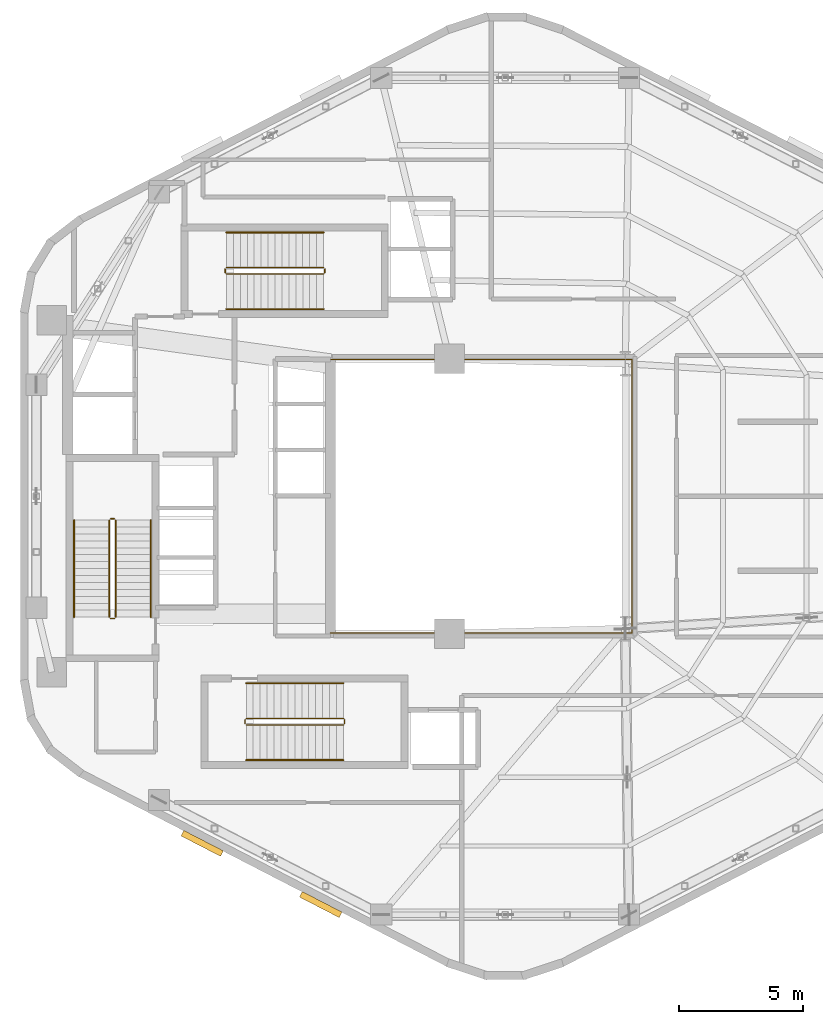
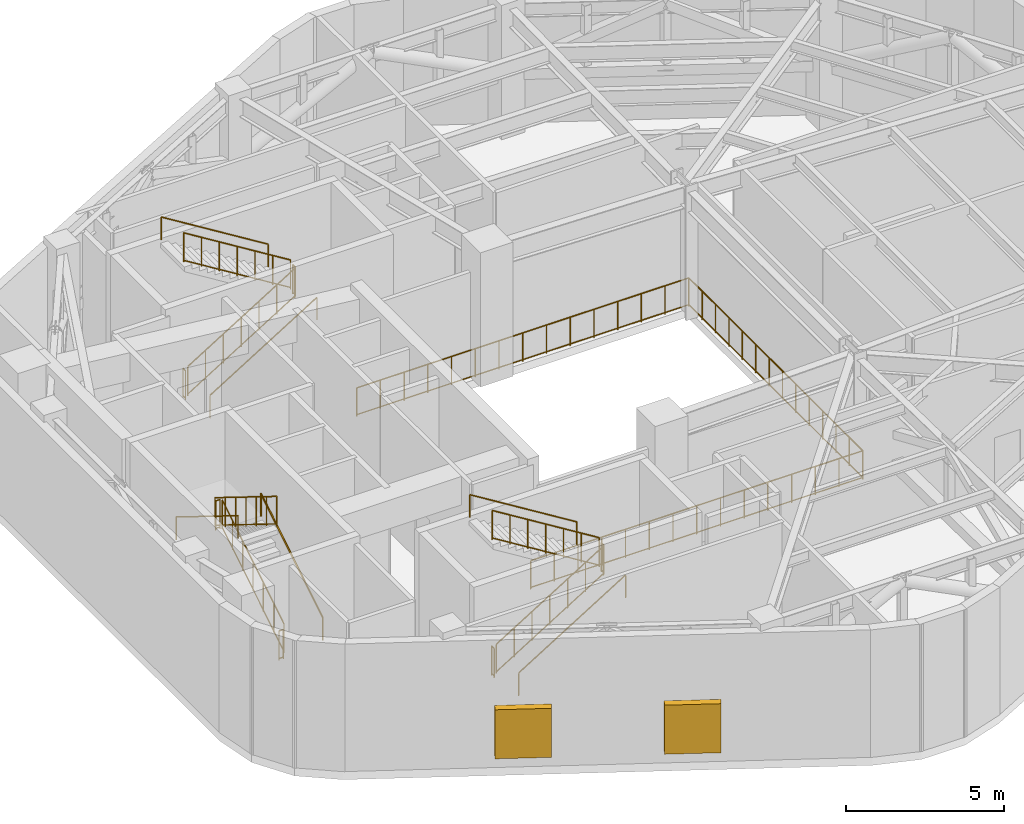
# One storey, part 9 of 10: 19 railings, 2 shading devices.
"""IFC4 building model written with IfcOpenShell, lengths in metres."""

from ifc_helpers import new_model, si_unit, direction, frame, origin, origin_2d, place, context, subcontext, project, spatial, rectangle, circle, extrude, material, type_object, element, save


model = new_model("IFC4")

# Units and contexts
model_context = context("Model", 3, precision=1e-05, world=origin(), true_north=direction((0.0, 1.0)))
body_context = subcontext(model_context, "Body", "Model", "MODEL_VIEW")
ifc_project = project(units=[si_unit("LENGTHUNIT", "METRE"), si_unit("AREAUNIT", "SQUARE_METRE"), si_unit("VOLUMEUNIT", "CUBIC_METRE"), si_unit("PLANEANGLEUNIT", "RADIAN"), si_unit("MASSUNIT", "GRAM", prefix="KILO"), si_unit("THERMODYNAMICTEMPERATUREUNIT", "KELVIN"), si_unit("POWERUNIT", "WATT")], contexts=[model_context])

# Site, building, storey
site_placement = place(None, origin())
site = spatial("IfcSite", under=ifc_project, at=site_placement, CompositionType="ELEMENT")
building_placement = place(site_placement, origin())
building = spatial("IfcBuilding", under=site, at=building_placement, Name="Skarre Station Tower", CompositionType="ELEMENT")
storey_placement = place(building_placement, frame((0.0, 0.0, 191.25)))
storey = spatial("IfcBuildingStorey", under=building, at=storey_placement, Name="L52", CompositionType="ELEMENT", Elevation=191.25)

# Railings
ifc_material_1 = material(Name="Bronze Anodized Steel & Laminated Glass Balustrade", Category="steel")
railing_type_1 = type_object("IfcRailingType", Name="Atrium Void & Mezzanine Guard Balustrade 1120", PredefinedType="GUARDRAIL", material=ifc_material_1)
railing_1_placement = place(storey_placement, frame((27.550048828125, 18.47998046875, 0.0)))
element("IfcRailing", 1, at=railing_1_placement, inside=storey, type_object=railing_type_1, Name="L52 Atrium Void Guard Balustrade", PredefinedType="GUARDRAIL", context=body_context, shape_type="SweptSolid", body=[
    extrude(circle(Radius=0.02392578125, at=origin_2d()), frame((0.0, 0.0, 1.09619140625), z_axis=(1.0, 0.0, 0.0), x_axis=(0.0, 1.0, 0.0)), (0.0, 0.0, 1.0), 12.169921875),
    extrude(circle(Radius=0.02099609375, at=origin_2d()), frame((0.0, 0.0, 0.06005859375), z_axis=(1.0, 0.0, 0.0), x_axis=(0.0, 1.0, 0.0)), (0.0, 0.0, 1.0), 12.169921875),
    extrude(circle(Radius=0.02392578125, at=origin_2d()), frame((12.169921875, 0.0, 1.09619140625), z_axis=(0.0, 1.0, 0.0), x_axis=(-1.0, 0.0, 0.0)), (0.0, 0.0, 1.0), 11.0400390625),
    extrude(circle(Radius=0.02099609375, at=origin_2d()), frame((12.169921875, 0.0, 0.06005859375), z_axis=(0.0, 1.0, 0.0), x_axis=(-1.0, 0.0, 0.0)), (0.0, 0.0, 1.0), 11.0400390625),
    extrude(circle(Radius=0.02392578125, at=origin_2d()), frame((12.169921875, 11.0400390625, 1.09619140625), z_axis=(-1.0, 0.0, 0.0), x_axis=(0.0, -1.0, 0.0)), (0.0, 0.0, 1.0), 12.169921875),
    extrude(circle(Radius=0.02099609375, at=origin_2d()), frame((12.169921875, 11.0400390625, 0.06005859375), z_axis=(-1.0, 0.0, 0.0), x_axis=(0.0, -1.0, 0.0)), (0.0, 0.0, 1.0), 12.169921875),
    extrude(circle(Radius=0.02099609375, at=origin_2d()), origin(), (0.0, 0.0, 1.0), 1.072021484375),
    extrude(circle(Radius=0.02099609375, at=origin_2d()), frame((0.869384765625, 0.0, 0.0)), (0.0, 0.0, 1.0), 1.072021484375),
    extrude(circle(Radius=0.02099609375, at=origin_2d()), frame((1.738525390625, 0.0, 0.0)), (0.0, 0.0, 1.0), 1.072021484375),
    extrude(circle(Radius=0.02099609375, at=origin_2d()), frame((2.60791015625, 0.0, 0.0)), (0.0, 0.0, 1.0), 1.072021484375),
    extrude(circle(Radius=0.02099609375, at=origin_2d()), frame((3.47705078125, 0.0, 0.0)), (0.0, 0.0, 1.0), 1.072021484375),
    extrude(circle(Radius=0.02099609375, at=origin_2d()), frame((4.346435546875, 0.0, 0.0)), (0.0, 0.0, 1.0), 1.072021484375),
    extrude(circle(Radius=0.02099609375, at=origin_2d()), frame((5.215576171875, 0.0, 0.0)), (0.0, 0.0, 1.0), 1.072021484375),
    extrude(circle(Radius=0.02099609375, at=origin_2d()), frame((6.0849609375, 0.0, 0.0)), (0.0, 0.0, 1.0), 1.072021484375),
    extrude(circle(Radius=0.02099609375, at=origin_2d()), frame((6.954345703125, 0.0, 0.0)), (0.0, 0.0, 1.0), 1.072021484375),
    extrude(circle(Radius=0.02099609375, at=origin_2d()), frame((7.823486328125, 0.0, 0.0)), (0.0, 0.0, 1.0), 1.072021484375),
    extrude(circle(Radius=0.02099609375, at=origin_2d()), frame((8.69287109375, 0.0, 0.0)), (0.0, 0.0, 1.0), 1.072021484375),
    extrude(circle(Radius=0.02099609375, at=origin_2d()), frame((9.56201171875, 0.0, 0.0)), (0.0, 0.0, 1.0), 1.072021484375),
    extrude(circle(Radius=0.02099609375, at=origin_2d()), frame((10.431396484375, 0.0, 0.0)), (0.0, 0.0, 1.0), 1.072021484375),
    extrude(circle(Radius=0.02099609375, at=origin_2d()), frame((11.300537109375, 0.0, 0.0)), (0.0, 0.0, 1.0), 1.072021484375),
    extrude(circle(Radius=0.02099609375, at=origin_2d()), frame((12.169921875, 0.0, 0.0)), (0.0, 0.0, 1.0), 1.072021484375),
    extrude(circle(Radius=0.02099609375, at=origin_2d()), frame((12.169921875, 0.84912109375, 0.0)), (0.0, 0.0, 1.0), 1.072021484375),
    extrude(circle(Radius=0.02099609375, at=origin_2d()), frame((12.169921875, 1.698486328125, 0.0)), (0.0, 0.0, 1.0), 1.072021484375),
    extrude(circle(Radius=0.02099609375, at=origin_2d()), frame((12.169921875, 2.547607421875, 0.0)), (0.0, 0.0, 1.0), 1.072021484375),
    extrude(circle(Radius=0.02099609375, at=origin_2d()), frame((12.169921875, 3.39697265625, 0.0)), (0.0, 0.0, 1.0), 1.072021484375),
    extrude(circle(Radius=0.02099609375, at=origin_2d()), frame((12.169921875, 4.24609375, 0.0)), (0.0, 0.0, 1.0), 1.072021484375),
    extrude(circle(Radius=0.02099609375, at=origin_2d()), frame((12.169921875, 5.095458984375, 0.0)), (0.0, 0.0, 1.0), 1.072021484375),
    extrude(circle(Radius=0.02099609375, at=origin_2d()), frame((12.169921875, 5.944580078125, 0.0)), (0.0, 0.0, 1.0), 1.072021484375),
    extrude(circle(Radius=0.02099609375, at=origin_2d()), frame((12.169921875, 6.7939453125, 0.0)), (0.0, 0.0, 1.0), 1.072021484375),
    extrude(circle(Radius=0.02099609375, at=origin_2d()), frame((12.169921875, 7.64306640625, 0.0)), (0.0, 0.0, 1.0), 1.072021484375),
    extrude(circle(Radius=0.02099609375, at=origin_2d()), frame((12.169921875, 8.492431640625, 0.0)), (0.0, 0.0, 1.0), 1.072021484375),
    extrude(circle(Radius=0.02099609375, at=origin_2d()), frame((12.169921875, 9.341552734375, 0.0)), (0.0, 0.0, 1.0), 1.072021484375),
    extrude(circle(Radius=0.02099609375, at=origin_2d()), frame((12.169921875, 10.19091796875, 0.0)), (0.0, 0.0, 1.0), 1.072021484375),
    extrude(circle(Radius=0.02099609375, at=origin_2d()), frame((12.169921875, 11.0400390625, 0.0)), (0.0, 0.0, 1.0), 1.072021484375),
    extrude(circle(Radius=0.02099609375, at=origin_2d()), frame((11.300537109375, 11.0400390625, 0.0)), (0.0, 0.0, 1.0), 1.072021484375),
    extrude(circle(Radius=0.02099609375, at=origin_2d()), frame((10.431396484375, 11.0400390625, 0.0)), (0.0, 0.0, 1.0), 1.072021484375),
    extrude(circle(Radius=0.02099609375, at=origin_2d()), frame((9.56201171875, 11.0400390625, 0.0)), (0.0, 0.0, 1.0), 1.072021484375),
    extrude(circle(Radius=0.02099609375, at=origin_2d()), frame((8.69287109375, 11.0400390625, 0.0)), (0.0, 0.0, 1.0), 1.072021484375),
    extrude(circle(Radius=0.02099609375, at=origin_2d()), frame((7.823486328125, 11.0400390625, 0.0)), (0.0, 0.0, 1.0), 1.072021484375),
    extrude(circle(Radius=0.02099609375, at=origin_2d()), frame((6.954345703125, 11.0400390625, 0.0)), (0.0, 0.0, 1.0), 1.072021484375),
    extrude(circle(Radius=0.02099609375, at=origin_2d()), frame((6.0849609375, 11.0400390625, 0.0)), (0.0, 0.0, 1.0), 1.072021484375),
    extrude(circle(Radius=0.02099609375, at=origin_2d()), frame((5.215576171875, 11.0400390625, 0.0)), (0.0, 0.0, 1.0), 1.072021484375),
    extrude(circle(Radius=0.02099609375, at=origin_2d()), frame((4.346435546875, 11.0400390625, 0.0)), (0.0, 0.0, 1.0), 1.072021484375),
    extrude(circle(Radius=0.02099609375, at=origin_2d()), frame((3.47705078125, 11.0400390625, 0.0)), (0.0, 0.0, 1.0), 1.072021484375),
    extrude(circle(Radius=0.02099609375, at=origin_2d()), frame((2.60791015625, 11.0400390625, 0.0)), (0.0, 0.0, 1.0), 1.072021484375),
    extrude(circle(Radius=0.02099609375, at=origin_2d()), frame((1.738525390625, 11.0400390625, 0.0)), (0.0, 0.0, 1.0), 1.072021484375),
    extrude(circle(Radius=0.02099609375, at=origin_2d()), frame((0.869384765625, 11.0400390625, 0.0)), (0.0, 0.0, 1.0), 1.072021484375),
    extrude(circle(Radius=0.02099609375, at=origin_2d()), frame((0.0, 11.0400390625, 0.0)), (0.0, 0.0, 1.0), 1.072021484375),
])
ifc_material_2 = material(Name="Powder-Coated Tubular Steel", Category="steel")
railing_type_2 = type_object("IfcRailingType", Name="Painted Steel Ramp & Stair Handrail 920", PredefinedType="HANDRAIL", material=ifc_material_2)
railing_2_placement = place(storey_placement, frame((20.300048828125, 19.1201171875, 0.17333984375)))
element("IfcRailing", 2, at=railing_2_placement, inside=storey, type_object=railing_type_2, Name="L52 ST-1 stair handrail 1", PredefinedType="HANDRAIL", context=body_context, shape_type="SweptSolid", body=[
    extrude(circle(Radius=0.02392578125, at=origin_2d()), frame((0.0, 0.0, 0.8759765625), z_axis=(0.0, 0.850251603719, 0.526376491091), x_axis=(-1.0, 0.0, 0.0)), (0.0, 0.0, 1.0), 4.6103515625),
    extrude(circle(Radius=0.02099609375, at=origin_2d()), origin(), (0.0, 0.0, 1.0), 0.851806640625),
    extrude(circle(Radius=0.02099609375, at=origin_2d()), frame((0.0, 3.919921875, 2.4267578125)), (0.0, 0.0, 1.0), 0.851806640625),
])
railing_3_placement = place(storey_placement, frame((17.199951171875, 23.0400390625, 2.7734375)))
element("IfcRailing", 3, at=railing_3_placement, inside=storey, type_object=railing_type_2, Name="L52 ST-1 stair handrail 2", PredefinedType="HANDRAIL", context=body_context, shape_type="SweptSolid", body=[
    extrude(circle(Radius=0.02392578125, at=origin_2d()), frame((0.0, 0.0, 0.8759765625), z_axis=(0.0, -0.850275303828, 0.526338206574), x_axis=(1.0, 0.0, 0.0)), (0.0, 0.0, 1.0), 4.610107421875),
    extrude(circle(Radius=0.02099609375, at=origin_2d()), origin(), (0.0, 0.0, 1.0), 0.851806640625),
    extrude(circle(Radius=0.02099609375, at=origin_2d()), frame((0.0, -3.919921875, 2.426513671875)), (0.0, 0.0, 1.0), 0.851806640625),
])
railing_4_placement = place(storey_placement, frame((24.14990234375, 13.35009765625, 0.17333984375)))
element("IfcRailing", 4, at=railing_4_placement, inside=storey, type_object=railing_type_2, Name="L52 ST-2 stair handrail 1", PredefinedType="HANDRAIL", context=body_context, shape_type="SweptSolid", body=[
    extrude(circle(Radius=0.02392578125, at=origin_2d()), frame((0.0, 0.0, 0.8759765625), z_axis=(0.850266275192, 0.0, 0.526352791643), x_axis=(0.0, 1.0, 0.0)), (0.0, 0.0, 1.0), 4.610595703125),
    extrude(circle(Radius=0.02099609375, at=origin_2d()), origin(), (0.0, 0.0, 1.0), 0.851806640625),
    extrude(circle(Radius=0.02099609375, at=origin_2d()), frame((3.920166015625, 0.0, 2.4267578125)), (0.0, 0.0, 1.0), 0.851806640625),
])
railing_5_placement = place(storey_placement, frame((28.070068359375, 16.449951171875, 2.7734375)))
element("IfcRailing", 5, at=railing_5_placement, inside=storey, type_object=railing_type_2, Name="L52 ST-2 stair handrail 2", PredefinedType="HANDRAIL", context=body_context, shape_type="SweptSolid", body=[
    extrude(circle(Radius=0.02392578125, at=origin_2d()), frame((0.0, 0.0, 0.8759765625), z_axis=(-0.850289973577, 0.0, 0.526314507528), x_axis=(0.0, -1.0, 0.0)), (0.0, 0.0, 1.0), 4.6103515625),
    extrude(circle(Radius=0.02099609375, at=origin_2d()), origin(), (0.0, 0.0, 1.0), 0.851806640625),
    extrude(circle(Radius=0.02099609375, at=origin_2d()), frame((-3.920166015625, 0.0, 2.426513671875)), (0.0, 0.0, 1.0), 0.851806640625),
])
railing_6_placement = place(storey_placement, frame((23.35009765625, 31.550048828125, 0.17333984375)))
element("IfcRailing", 6, at=railing_6_placement, inside=storey, type_object=railing_type_2, Name="L52 ST-3 stair handrail 1", PredefinedType="HANDRAIL", context=body_context, shape_type="SweptSolid", body=[
    extrude(circle(Radius=0.02392578125, at=origin_2d()), frame((0.0, 0.0, 0.8759765625), z_axis=(0.850251603719, 0.0, 0.526376491091), x_axis=(0.0, 1.0, 0.0)), (0.0, 0.0, 1.0), 4.6103515625),
    extrude(circle(Radius=0.02099609375, at=origin_2d()), origin(), (0.0, 0.0, 1.0), 0.851806640625),
    extrude(circle(Radius=0.02099609375, at=origin_2d()), frame((3.919921875, 0.0, 2.4267578125)), (0.0, 0.0, 1.0), 0.851806640625),
])
railing_7_placement = place(storey_placement, frame((27.27001953125, 34.64990234375, 2.7734375)))
element("IfcRailing", 7, at=railing_7_placement, inside=storey, type_object=railing_type_2, Name="L52 ST-3 stair handrail 2", PredefinedType="HANDRAIL", context=body_context, shape_type="SweptSolid", body=[
    extrude(circle(Radius=0.02392578125, at=origin_2d()), frame((0.0, 0.0, 0.8759765625), z_axis=(-0.850275303828, 0.0, 0.526338206574), x_axis=(0.0, -1.0, 0.0)), (0.0, 0.0, 1.0), 4.610107421875),
    extrude(circle(Radius=0.02099609375, at=origin_2d()), origin(), (0.0, 0.0, 1.0), 0.851806640625),
    extrude(circle(Radius=0.02099609375, at=origin_2d()), frame((-3.919921875, 0.0, 2.426513671875)), (0.0, 0.0, 1.0), 0.851806640625),
])
railing_type_3 = type_object("IfcRailingType", Name="Painted Steel Stairwell Guardrail 1100", PredefinedType="GUARDRAIL", material=ifc_material_2)
railing_8_placement = place(storey_placement, frame((18.8798828125, 19.1201171875, 0.17333984375)))
element("IfcRailing", 8, at=railing_8_placement, inside=storey, type_object=railing_type_3, Name="L52 ST-1 stair guard 1", PredefinedType="GUARDRAIL", context=body_context, shape_type="SweptSolid", body=[
    extrude(circle(Radius=0.02392578125, at=origin_2d()), frame((0.0, 0.0, 1.1259765625), z_axis=(0.0, 0.850251603719, 0.526376491091), x_axis=(-1.0, 0.0, 0.0)), (0.0, 0.0, 1.0), 4.6103515625),
    extrude(circle(Radius=0.02099609375, at=origin_2d()), frame((0.0, 0.0, 0.06005859375), z_axis=(0.0, 0.850251603719, 0.526376491091), x_axis=(-1.0, 0.0, 0.0)), (0.0, 0.0, 1.0), 4.6103515625),
    extrude(circle(Radius=0.02099609375, at=origin_2d()), origin(), (0.0, 0.0, 1.0), 1.101806640625),
    extrude(circle(Radius=0.02099609375, at=origin_2d()), frame((0.0, 0.6533203125, 0.404541015625)), (0.0, 0.0, 1.0), 1.101806640625),
    extrude(circle(Radius=0.02099609375, at=origin_2d()), frame((0.0, 1.306640625, 0.808837890625)), (0.0, 0.0, 1.0), 1.101806640625),
    extrude(circle(Radius=0.02099609375, at=origin_2d()), frame((0.0, 1.9599609375, 1.21337890625)), (0.0, 0.0, 1.0), 1.101806640625),
    extrude(circle(Radius=0.02099609375, at=origin_2d()), frame((0.0, 2.61328125, 1.617919921875)), (0.0, 0.0, 1.0), 1.101806640625),
    extrude(circle(Radius=0.02099609375, at=origin_2d()), frame((0.0, 3.2666015625, 2.022216796875)), (0.0, 0.0, 1.0), 1.101806640625),
    extrude(circle(Radius=0.02099609375, at=origin_2d()), frame((0.0, 3.919921875, 2.4267578125)), (0.0, 0.0, 1.0), 1.101806640625),
])
railing_9_placement = place(storey_placement, frame((18.830078125, 23.090087890625, 2.60009765625)))
element("IfcRailing", 9, at=railing_9_placement, inside=storey, type_object=railing_type_3, Name="L52 ST-1 stair guard 2", PredefinedType="GUARDRAIL", context=body_context, shape_type="SweptSolid", body=[
    extrude(circle(Radius=0.02392578125, at=origin_2d()), frame((0.0, 0.0, 1.1259765625), z_axis=(-1.0, 0.0, 0.0), x_axis=(0.0, -1.0, 0.0)), (0.0, 0.0, 1.0), 0.16015625),
    extrude(circle(Radius=0.02099609375, at=origin_2d()), frame((0.0, 0.0, 0.06005859375), z_axis=(-1.0, 0.0, 0.0), x_axis=(0.0, -1.0, 0.0)), (0.0, 0.0, 1.0), 0.16015625),
    extrude(circle(Radius=0.02099609375, at=origin_2d()), origin(), (0.0, 0.0, 1.0), 1.101806640625),
    extrude(circle(Radius=0.02099609375, at=origin_2d()), frame((-0.16015625, 0.0, 0.0)), (0.0, 0.0, 1.0), 1.101806640625),
])
railing_10_placement = place(storey_placement, frame((18.6201171875, 23.0400390625, 2.7734375)))
element("IfcRailing", 10, at=railing_10_placement, inside=storey, type_object=railing_type_3, Name="L52 ST-1 stair guard 3", PredefinedType="GUARDRAIL", context=body_context, shape_type="SweptSolid", body=[
    extrude(circle(Radius=0.02392578125, at=origin_2d()), frame((0.0, 0.0, 1.1259765625), z_axis=(0.0, -0.850275303828, 0.526338206574), x_axis=(1.0, 0.0, 0.0)), (0.0, 0.0, 1.0), 4.610107421875),
    extrude(circle(Radius=0.02099609375, at=origin_2d()), frame((0.0, 0.0, 0.06005859375), z_axis=(0.0, -0.850275303828, 0.526338206574), x_axis=(1.0, 0.0, 0.0)), (0.0, 0.0, 1.0), 4.610107421875),
    extrude(circle(Radius=0.02099609375, at=origin_2d()), origin(), (0.0, 0.0, 1.0), 1.101806640625),
    extrude(circle(Radius=0.02099609375, at=origin_2d()), frame((0.0, -0.6533203125, 0.404296875)), (0.0, 0.0, 1.0), 1.101806640625),
    extrude(circle(Radius=0.02099609375, at=origin_2d()), frame((0.0, -1.306640625, 0.808837890625)), (0.0, 0.0, 1.0), 1.101806640625),
    extrude(circle(Radius=0.02099609375, at=origin_2d()), frame((0.0, -1.9599609375, 1.21337890625)), (0.0, 0.0, 1.0), 1.101806640625),
    extrude(circle(Radius=0.02099609375, at=origin_2d()), frame((0.0, -2.61328125, 1.61767578125)), (0.0, 0.0, 1.0), 1.101806640625),
    extrude(circle(Radius=0.02099609375, at=origin_2d()), frame((0.0, -3.2666015625, 2.02197265625)), (0.0, 0.0, 1.0), 1.101806640625),
    extrude(circle(Radius=0.02099609375, at=origin_2d()), frame((0.0, -3.919921875, 2.426513671875)), (0.0, 0.0, 1.0), 1.101806640625),
])
railing_11_placement = place(storey_placement, frame((18.830078125, 19.070068359375, 0.0)))
element("IfcRailing", 11, at=railing_11_placement, inside=storey, type_object=railing_type_3, Name="L52 ST-1 stair guard 4", PredefinedType="GUARDRAIL", context=body_context, shape_type="SweptSolid", body=[
    extrude(circle(Radius=0.02392578125, at=origin_2d()), frame((0.0, 0.0, 1.1259765625), z_axis=(-1.0, 0.0, 0.0), x_axis=(0.0, -1.0, 0.0)), (0.0, 0.0, 1.0), 0.16015625),
    extrude(circle(Radius=0.02099609375, at=origin_2d()), frame((0.0, 0.0, 0.06005859375), z_axis=(-1.0, 0.0, 0.0), x_axis=(0.0, -1.0, 0.0)), (0.0, 0.0, 1.0), 0.16015625),
    extrude(circle(Radius=0.02099609375, at=origin_2d()), origin(), (0.0, 0.0, 1.0), 1.101806640625),
    extrude(circle(Radius=0.02099609375, at=origin_2d()), frame((-0.16015625, 0.0, 0.0)), (0.0, 0.0, 1.0), 1.101806640625),
])
railing_12_placement = place(storey_placement, frame((24.14990234375, 14.77001953125, 0.17333984375)))
element("IfcRailing", 12, at=railing_12_placement, inside=storey, type_object=railing_type_3, Name="L52 ST-2 stair guard 1", PredefinedType="GUARDRAIL", context=body_context, shape_type="SweptSolid", body=[
    extrude(circle(Radius=0.02392578125, at=origin_2d()), frame((0.0, 0.0, 1.1259765625), z_axis=(0.850266275192, 0.0, 0.526352791643), x_axis=(0.0, 1.0, 0.0)), (0.0, 0.0, 1.0), 4.610595703125),
    extrude(circle(Radius=0.02099609375, at=origin_2d()), frame((0.0, 0.0, 0.06005859375), z_axis=(0.850266275192, 0.0, 0.526352791643), x_axis=(0.0, 1.0, 0.0)), (0.0, 0.0, 1.0), 4.610595703125),
    extrude(circle(Radius=0.02099609375, at=origin_2d()), origin(), (0.0, 0.0, 1.0), 1.101806640625),
    extrude(circle(Radius=0.02099609375, at=origin_2d()), frame((0.6533203125, 0.0, 0.404541015625)), (0.0, 0.0, 1.0), 1.101806640625),
    extrude(circle(Radius=0.02099609375, at=origin_2d()), frame((1.306640625, 0.0, 0.808837890625)), (0.0, 0.0, 1.0), 1.101806640625),
    extrude(circle(Radius=0.02099609375, at=origin_2d()), frame((1.9599609375, 0.0, 1.21337890625)), (0.0, 0.0, 1.0), 1.101806640625),
    extrude(circle(Radius=0.02099609375, at=origin_2d()), frame((2.613525390625, 0.0, 1.617919921875)), (0.0, 0.0, 1.0), 1.101806640625),
    extrude(circle(Radius=0.02099609375, at=origin_2d()), frame((3.266845703125, 0.0, 2.022216796875)), (0.0, 0.0, 1.0), 1.101806640625),
    extrude(circle(Radius=0.02099609375, at=origin_2d()), frame((3.920166015625, 0.0, 2.4267578125)), (0.0, 0.0, 1.0), 1.101806640625),
])
railing_13_placement = place(storey_placement, frame((28.1201171875, 14.820068359375, 2.60009765625)))
element("IfcRailing", 13, at=railing_13_placement, inside=storey, type_object=railing_type_3, Name="L52 ST-2 stair guard 2", PredefinedType="GUARDRAIL", context=body_context, shape_type="SweptSolid", body=[
    extrude(circle(Radius=0.02392578125, at=origin_2d()), frame((0.0, 0.0, 1.1259765625), z_axis=(0.0, 1.0, 0.0), x_axis=(-1.0, 0.0, 0.0)), (0.0, 0.0, 1.0), 0.159912109375),
    extrude(circle(Radius=0.02099609375, at=origin_2d()), frame((0.0, 0.0, 0.06005859375), z_axis=(0.0, 1.0, 0.0), x_axis=(-1.0, 0.0, 0.0)), (0.0, 0.0, 1.0), 0.159912109375),
    extrude(circle(Radius=0.02099609375, at=origin_2d()), origin(), (0.0, 0.0, 1.0), 1.101806640625),
    extrude(circle(Radius=0.02099609375, at=origin_2d()), frame((0.0, 0.159912109375, 0.0)), (0.0, 0.0, 1.0), 1.101806640625),
])
railing_14_placement = place(storey_placement, frame((28.070068359375, 15.030029296875, 2.7734375)))
element("IfcRailing", 14, at=railing_14_placement, inside=storey, type_object=railing_type_3, Name="L52 ST-2 stair guard 3", PredefinedType="GUARDRAIL", context=body_context, shape_type="SweptSolid", body=[
    extrude(circle(Radius=0.02392578125, at=origin_2d()), frame((0.0, 0.0, 1.1259765625), z_axis=(-0.850289973577, 0.0, 0.526314507528), x_axis=(0.0, -1.0, 0.0)), (0.0, 0.0, 1.0), 4.6103515625),
    extrude(circle(Radius=0.02099609375, at=origin_2d()), frame((0.0, 0.0, 0.06005859375), z_axis=(-0.850289973577, 0.0, 0.526314507528), x_axis=(0.0, -1.0, 0.0)), (0.0, 0.0, 1.0), 4.6103515625),
    extrude(circle(Radius=0.02099609375, at=origin_2d()), origin(), (0.0, 0.0, 1.0), 1.101806640625),
    extrude(circle(Radius=0.02099609375, at=origin_2d()), frame((-0.6533203125, 0.0, 0.404296875)), (0.0, 0.0, 1.0), 1.101806640625),
    extrude(circle(Radius=0.02099609375, at=origin_2d()), frame((-1.306640625, 0.0, 0.808837890625)), (0.0, 0.0, 1.0), 1.101806640625),
    extrude(circle(Radius=0.02099609375, at=origin_2d()), frame((-1.9599609375, 0.0, 1.21337890625)), (0.0, 0.0, 1.0), 1.101806640625),
    extrude(circle(Radius=0.02099609375, at=origin_2d()), frame((-2.613525390625, 0.0, 1.61767578125)), (0.0, 0.0, 1.0), 1.101806640625),
    extrude(circle(Radius=0.02099609375, at=origin_2d()), frame((-3.266845703125, 0.0, 2.02197265625)), (0.0, 0.0, 1.0), 1.101806640625),
    extrude(circle(Radius=0.02099609375, at=origin_2d()), frame((-3.920166015625, 0.0, 2.426513671875)), (0.0, 0.0, 1.0), 1.101806640625),
])
railing_15_placement = place(storey_placement, frame((24.10009765625, 14.820068359375, 0.0)))
element("IfcRailing", 15, at=railing_15_placement, inside=storey, type_object=railing_type_3, Name="L52 ST-2 stair guard 4", PredefinedType="GUARDRAIL", context=body_context, shape_type="SweptSolid", body=[
    extrude(circle(Radius=0.02392578125, at=origin_2d()), frame((0.0, 0.0, 1.1259765625), z_axis=(0.0, 1.0, 0.0), x_axis=(-1.0, 0.0, 0.0)), (0.0, 0.0, 1.0), 0.159912109375),
    extrude(circle(Radius=0.02099609375, at=origin_2d()), frame((0.0, 0.0, 0.06005859375), z_axis=(0.0, 1.0, 0.0), x_axis=(-1.0, 0.0, 0.0)), (0.0, 0.0, 1.0), 0.159912109375),
    extrude(circle(Radius=0.02099609375, at=origin_2d()), origin(), (0.0, 0.0, 1.0), 1.101806640625),
    extrude(circle(Radius=0.02099609375, at=origin_2d()), frame((0.0, 0.159912109375, 0.0)), (0.0, 0.0, 1.0), 1.101806640625),
])
railing_16_placement = place(storey_placement, frame((23.35009765625, 32.969970703125, 0.17333984375)))
element("IfcRailing", 16, at=railing_16_placement, inside=storey, type_object=railing_type_3, Name="L52 ST-3 stair guard 1", PredefinedType="GUARDRAIL", context=body_context, shape_type="SweptSolid", body=[
    extrude(circle(Radius=0.02392578125, at=origin_2d()), frame((0.0, 0.0, 1.1259765625), z_axis=(0.850251603719, 0.0, 0.526376491091), x_axis=(0.0, 1.0, 0.0)), (0.0, 0.0, 1.0), 4.6103515625),
    extrude(circle(Radius=0.02099609375, at=origin_2d()), frame((0.0, 0.0, 0.06005859375), z_axis=(0.850251603719, 0.0, 0.526376491091), x_axis=(0.0, 1.0, 0.0)), (0.0, 0.0, 1.0), 4.6103515625),
    extrude(circle(Radius=0.02099609375, at=origin_2d()), origin(), (0.0, 0.0, 1.0), 1.101806640625),
    extrude(circle(Radius=0.02099609375, at=origin_2d()), frame((0.6533203125, 0.0, 0.404541015625)), (0.0, 0.0, 1.0), 1.101806640625),
    extrude(circle(Radius=0.02099609375, at=origin_2d()), frame((1.306640625, 0.0, 0.808837890625)), (0.0, 0.0, 1.0), 1.101806640625),
    extrude(circle(Radius=0.02099609375, at=origin_2d()), frame((1.9599609375, 0.0, 1.21337890625)), (0.0, 0.0, 1.0), 1.101806640625),
    extrude(circle(Radius=0.02099609375, at=origin_2d()), frame((2.61328125, 0.0, 1.617919921875)), (0.0, 0.0, 1.0), 1.101806640625),
    extrude(circle(Radius=0.02099609375, at=origin_2d()), frame((3.2666015625, 0.0, 2.022216796875)), (0.0, 0.0, 1.0), 1.101806640625),
    extrude(circle(Radius=0.02099609375, at=origin_2d()), frame((3.919921875, 0.0, 2.4267578125)), (0.0, 0.0, 1.0), 1.101806640625),
])
railing_17_placement = place(storey_placement, frame((27.320068359375, 33.02001953125, 2.60009765625)))
element("IfcRailing", 17, at=railing_17_placement, inside=storey, type_object=railing_type_3, Name="L52 ST-3 stair guard 2", PredefinedType="GUARDRAIL", context=body_context, shape_type="SweptSolid", body=[
    extrude(circle(Radius=0.02392578125, at=origin_2d()), frame((0.0, 0.0, 1.1259765625), z_axis=(0.0, 1.0, 0.0), x_axis=(-1.0, 0.0, 0.0)), (0.0, 0.0, 1.0), 0.159912109375),
    extrude(circle(Radius=0.02099609375, at=origin_2d()), frame((0.0, 0.0, 0.06005859375), z_axis=(0.0, 1.0, 0.0), x_axis=(-1.0, 0.0, 0.0)), (0.0, 0.0, 1.0), 0.159912109375),
    extrude(circle(Radius=0.02099609375, at=origin_2d()), origin(), (0.0, 0.0, 1.0), 1.101806640625),
    extrude(circle(Radius=0.02099609375, at=origin_2d()), frame((0.0, 0.159912109375, 0.0)), (0.0, 0.0, 1.0), 1.101806640625),
])
railing_18_placement = place(storey_placement, frame((27.27001953125, 33.22998046875, 2.7734375)))
element("IfcRailing", 18, at=railing_18_placement, inside=storey, type_object=railing_type_3, Name="L52 ST-3 stair guard 3", PredefinedType="GUARDRAIL", context=body_context, shape_type="SweptSolid", body=[
    extrude(circle(Radius=0.02392578125, at=origin_2d()), frame((0.0, 0.0, 1.1259765625), z_axis=(-0.850275303828, 0.0, 0.526338206574), x_axis=(0.0, -1.0, 0.0)), (0.0, 0.0, 1.0), 4.610107421875),
    extrude(circle(Radius=0.02099609375, at=origin_2d()), frame((0.0, 0.0, 0.06005859375), z_axis=(-0.850275303828, 0.0, 0.526338206574), x_axis=(0.0, -1.0, 0.0)), (0.0, 0.0, 1.0), 4.610107421875),
    extrude(circle(Radius=0.02099609375, at=origin_2d()), origin(), (0.0, 0.0, 1.0), 1.101806640625),
    extrude(circle(Radius=0.02099609375, at=origin_2d()), frame((-0.6533203125, 0.0, 0.404296875)), (0.0, 0.0, 1.0), 1.101806640625),
    extrude(circle(Radius=0.02099609375, at=origin_2d()), frame((-1.306640625, 0.0, 0.808837890625)), (0.0, 0.0, 1.0), 1.101806640625),
    extrude(circle(Radius=0.02099609375, at=origin_2d()), frame((-1.9599609375, 0.0, 1.21337890625)), (0.0, 0.0, 1.0), 1.101806640625),
    extrude(circle(Radius=0.02099609375, at=origin_2d()), frame((-2.61328125, 0.0, 1.61767578125)), (0.0, 0.0, 1.0), 1.101806640625),
    extrude(circle(Radius=0.02099609375, at=origin_2d()), frame((-3.2666015625, 0.0, 2.02197265625)), (0.0, 0.0, 1.0), 1.101806640625),
    extrude(circle(Radius=0.02099609375, at=origin_2d()), frame((-3.919921875, 0.0, 2.426513671875)), (0.0, 0.0, 1.0), 1.101806640625),
])
railing_19_placement = place(storey_placement, frame((23.300048828125, 33.02001953125, 0.0)))
element("IfcRailing", 19, at=railing_19_placement, inside=storey, type_object=railing_type_3, Name="L52 ST-3 stair guard 4", PredefinedType="GUARDRAIL", context=body_context, shape_type="SweptSolid", body=[
    extrude(circle(Radius=0.02392578125, at=origin_2d()), frame((0.0, 0.0, 1.1259765625), z_axis=(0.0, 1.0, 0.0), x_axis=(-1.0, 0.0, 0.0)), (0.0, 0.0, 1.0), 0.159912109375),
    extrude(circle(Radius=0.02099609375, at=origin_2d()), frame((0.0, 0.0, 0.06005859375), z_axis=(0.0, 1.0, 0.0), x_axis=(-1.0, 0.0, 0.0)), (0.0, 0.0, 1.0), 0.159912109375),
    extrude(circle(Radius=0.02099609375, at=origin_2d()), origin(), (0.0, 0.0, 1.0), 1.101806640625),
    extrude(circle(Radius=0.02099609375, at=origin_2d()), frame((0.0, 0.159912109375, 0.0)), (0.0, 0.0, 1.0), 1.101806640625),
])

# Shading devices
ifc_material_3 = material(Name="Powder-Coated Aluminium Acoustic Louvre", Category="aluminium")
shading_device_type = type_object("IfcShadingDeviceType", Name="Plant Intake Acoustic Weather Louvre 1800x2200", PredefinedType="JALOUSIE", material=ifc_material_3)
for number, where, z_axis, x_axis, name in (
    (20, (27.156005859375, 7.51806640625, 0.5), (0.0, 0.0, 1.0), (-0.458634045118, -0.888625237464, 0.0), "L52 Facet 3 Mechanical Intake Louvre 1"),
    (21, (22.37109375, 9.987060546875, 0.5), (0.0, 0.0, 1.0), (-0.458634045118, -0.888625237464, 0.0), "L52 Facet 3 Mechanical Intake Louvre 2"),
):
    element("IfcShadingDevice", number, at=place(storey_placement, frame(where, z_axis=z_axis, x_axis=x_axis)), inside=storey, type_object=shading_device_type, Name=name, PredefinedType="JALOUSIE", context=body_context, shape_type="SweptSolid", body=[
        extrude(rectangle(XDim=0.25, YDim=1.800048828125, at=origin_2d()), origin(), (0.0, 0.0, 1.0), 1.89990234375),
    ])

save(model, "model.ifc")
